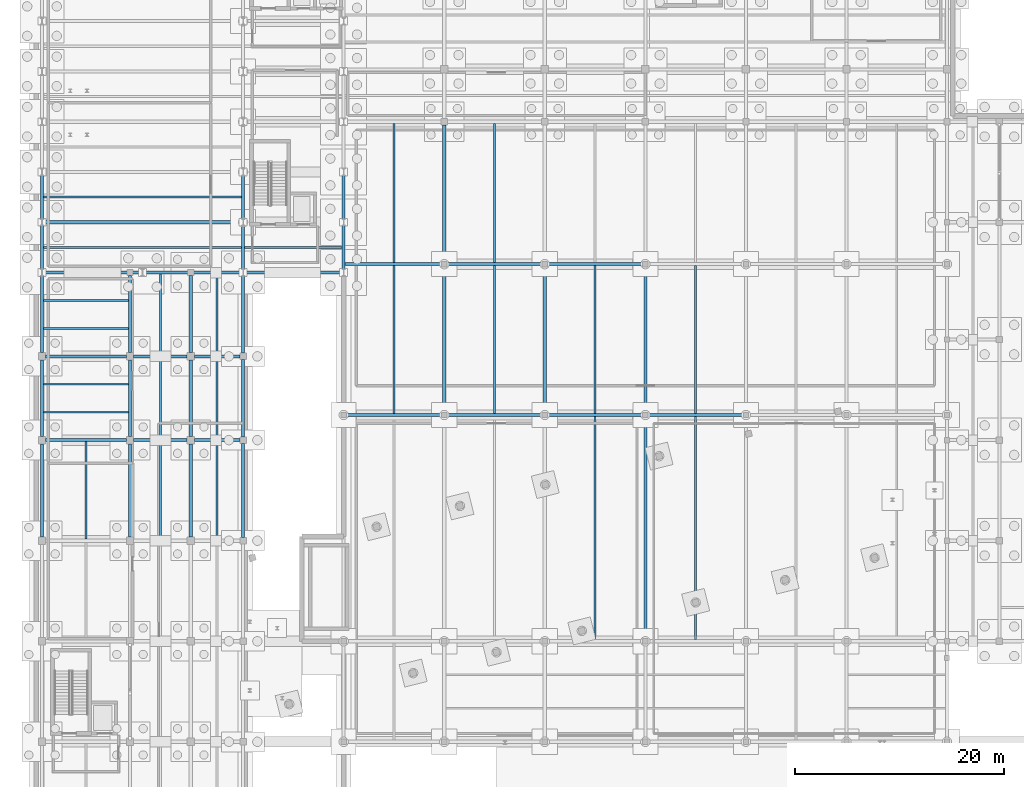
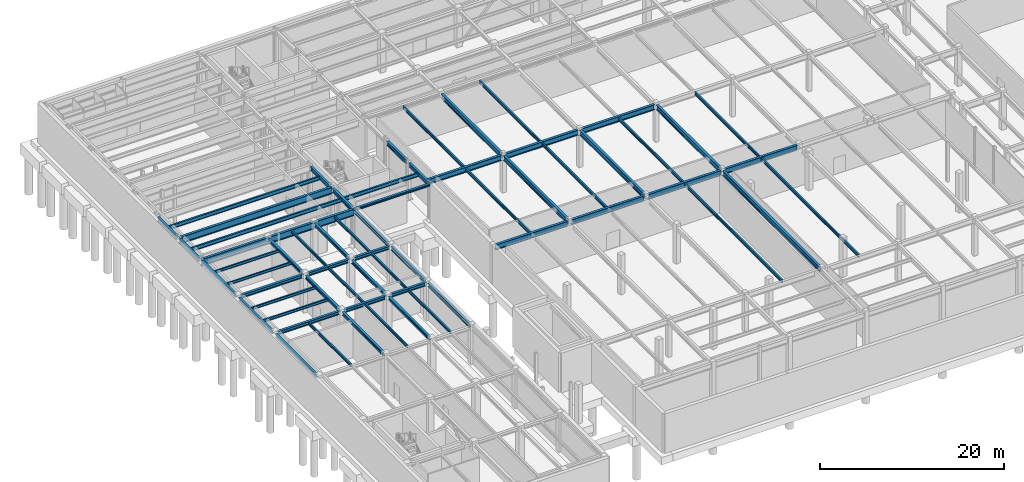
# One storey, part 16 of 33: 61 beams.
"""IFC4 building model written with IfcOpenShell, lengths in metres."""

import ifcopenshell
import ifcopenshell.guid

model = None  # the IFC model being written
_history = None  # IfcOwnerHistory: only IFC2X3 demands one
_inside = {}  # id of a spatial element -> (the spatial element, [elements in it])
_under = {}  # id of a project, library or spatial element -> (it, [spatial elements below it])
_declared = {}  # id of a project -> (the project, [libraries it declares])
_typed = {}  # id of a type object -> (the type object, [elements of that type])
_made_of = {}  # id of a material, layer set ... -> (it, [elements and type objects made of it])


def new_model(schema):
    """Start an empty IFC model of exactly this schema.

    Asked for "IFC4X3", IfcOpenShell would pick the latest addendum, in which some entities
    have other attributes; the version numbers below select the first issue.
    IFC2X3 requires an IfcOwnerHistory on every rooted entity: one is made here for all.
    """
    global model, _history
    if schema == "IFC4X3":
        model = ifcopenshell.file(schema_version=(4, 3, 0, 0))
    else:
        model = ifcopenshell.file(schema=schema)
    _inside.clear()
    _under.clear()
    _declared.clear()
    _typed.clear()
    _made_of.clear()
    _history = None
    if model.schema == "IFC2X3":
        org = make("IfcOrganization", Name="unknown")
        user = make(
            "IfcPersonAndOrganization",
            ThePerson=make("IfcPerson", FamilyName="unknown"),
            TheOrganization=org,
        )
        app = make(
            "IfcApplication",
            ApplicationDeveloper=org,
            Version="unknown",
            ApplicationFullName="unknown",
            ApplicationIdentifier="unknown",
        )
        _history = make(
            "IfcOwnerHistory",
            OwningUser=user,
            OwningApplication=app,
            ChangeAction="ADDED",
            CreationDate=0,
        )
    return model


def make(cls, **values):
    """One entity of the class cls with the attributes given. An attribute that is None is left unset."""
    return model.create_entity(
        cls, **{name: value for name, value in values.items() if value is not None}
    )


def rooted(cls, **values):
    """An entity with a GlobalId (a new one), such as an element, a storey or a relation."""
    return make(cls, GlobalId=ifcopenshell.guid.new(), OwnerHistory=_history, **values)


def si_unit(unit_type, name, prefix=None):
    """IfcSIUnit, for example si_unit("LENGTHUNIT", "METRE", prefix="MILLI")."""
    return make("IfcSIUnit", UnitType=unit_type, Prefix=prefix, Name=name)


def assignment(units):
    """IfcUnitAssignment: the units of a project."""
    return None if units is None else make("IfcUnitAssignment", Units=units)


def point(xyz):
    """IfcCartesianPoint."""
    return None if xyz is None else make("IfcCartesianPoint", Coordinates=xyz)


def direction(xyz):
    """IfcDirection."""
    return None if xyz is None else make("IfcDirection", DirectionRatios=xyz)


def frame(location, z_axis=None, x_axis=None):
    """IfcAxis2Placement3D, a coordinate frame: its origin and axes. An axis left out is left unset."""
    return make(
        "IfcAxis2Placement3D",
        Location=point(location),
        Axis=direction(z_axis),
        RefDirection=direction(x_axis),
    )


def frame_2d(location, x_axis=None):
    """IfcAxis2Placement2D, a coordinate frame in the plane: its origin and x axis."""
    return make(
        "IfcAxis2Placement2D", Location=point(location), RefDirection=direction(x_axis)
    )


def origin():
    """The frame at (0, 0, 0) with its axes left unset."""
    return frame((0.0, 0.0, 0.0))


def origin_2d():
    """The frame at (0, 0) in the plane with its x axis left unset."""
    return frame_2d((0.0, 0.0))


def place(relative_to, where):
    """IfcLocalPlacement: puts the frame where relative to a parent placement (None: the world)."""
    return make(
        "IfcLocalPlacement", PlacementRelTo=relative_to, RelativePlacement=where
    )


def context(
    kind, dimensions, precision=None, world=None, true_north=None, identifier=None
):
    """IfcGeometricRepresentationContext, for example the 3D "Model" context."""
    return make(
        "IfcGeometricRepresentationContext",
        ContextIdentifier=identifier,
        ContextType=kind,
        CoordinateSpaceDimension=dimensions,
        Precision=precision,
        WorldCoordinateSystem=world,
        TrueNorth=true_north,
    )


def subcontext(parent, identifier, kind, view, scale=None):
    """IfcGeometricRepresentationSubContext, for example "Body" below "Model"."""
    return make(
        "IfcGeometricRepresentationSubContext",
        ContextIdentifier=identifier,
        ContextType=kind,
        ParentContext=parent,
        TargetScale=scale,
        TargetView=view,
    )


def project(units=None, contexts=None):
    """IfcProject with its units and contexts."""
    return rooted(
        "IfcProject",
        Name="project",
        RepresentationContexts=contexts,
        UnitsInContext=assignment(units),
    )


def spatial(cls, under=None, at=None, **own):
    """A site, building, storey or space (cls), placed at a placement, below another one or the project."""
    s = rooted(cls, ObjectPlacement=at, **own)
    if under is not None:
        _under.setdefault(under.id(), (under, []))[1].append(s)
    return s


def profile(cls, at=None, kind="AREA", **sizes):
    """A parametric profile (cls). Its sizes go by their IFC names, for example OverallWidth=200.0."""
    return make(cls, ProfileType=kind, Position=at, **sizes)


def i_section(**sizes):
    """IfcIShapeProfileDef."""
    return profile("IfcIShapeProfileDef", **sizes)


def extrude(swept, where, along, depth):
    """IfcExtrudedAreaSolid: the profile swept, set in the frame where, extruded along a direction by depth."""
    return make(
        "IfcExtrudedAreaSolid",
        SweptArea=swept,
        Position=where,
        ExtrudedDirection=direction(along),
        Depth=depth,
    )


def shape(context_of_items, identifier, shape_type, items):
    """IfcShapeRepresentation: the items that make up one representation, for example the "Body"."""
    return make(
        "IfcShapeRepresentation",
        ContextOfItems=context_of_items,
        RepresentationIdentifier=identifier,
        RepresentationType=shape_type,
        Items=items,
    )


def material(Name=None, Category=None):
    """IfcMaterial."""
    return make("IfcMaterial", Name=Name, Category=Category)


def material_profile(
    of_material, cross_section, Name=None, Category=None, Priority=None
):
    """IfcMaterialProfile: a cross section and its material."""
    return make(
        "IfcMaterialProfile",
        Name=Name,
        Material=of_material,
        Profile=cross_section,
        Priority=Priority,
        Category=Category,
    )


def profile_set(profiles, Name=None, composite=None):
    """IfcMaterialProfileSet."""
    return make(
        "IfcMaterialProfileSet",
        Name=Name,
        MaterialProfiles=profiles,
        CompositeProfile=composite,
    )


def made_of(thing, what):
    """Note that an element or type object is made of a material, layer set ...; save() writes the relation."""
    if what is not None:
        _made_of.setdefault(what.id(), (what, []))[1].append(thing)
    return thing


def type_object(cls, material=None, **own):
    """A type object (cls), such as IfcWallType, which elements share."""
    return made_of(rooted(cls, **own), material)


def element(
    cls,
    number,
    at=None,
    inside=None,
    cuts=None,
    type_object=None,
    material=None,
    context=None,
    identifier="Body",
    shape_type=None,
    held_by="IfcProductDefinitionShape",
    body=None,
    shapes=None,
    **own,
):
    """One element of the class cls, such as IfcWall. Its Tag is "e" and its number.

    at: its placement. inside: the storey or other place that contains it. cuts: it is an
    opening in that element (IfcRelVoidsElement). A single representation is given by context,
    identifier, shape_type and body (its items); several are given by shapes. held_by: the class
    of the entity that holds the representations. save() writes the other relations.
    """
    e = rooted(cls, Tag="e%d" % number, ObjectPlacement=at, **own)
    if body is not None:
        shapes = [shape(context, identifier, shape_type, body)]
    if shapes is not None:
        e.Representation = make(held_by, Representations=shapes)
    if inside is not None:
        _inside.setdefault(inside.id(), (inside, []))[1].append(e)
    if cuts is not None:
        rooted(
            "IfcRelVoidsElement", RelatingBuildingElement=cuts, RelatedOpeningElement=e
        )
    if type_object is not None:
        _typed.setdefault(type_object.id(), (type_object, []))[1].append(e)
    return made_of(e, material)


def aggregate(whole, parts):
    """IfcRelAggregates: a whole, such as a stair, and the parts it consists of."""
    return rooted("IfcRelAggregates", RelatingObject=whole, RelatedObjects=parts)


def save(model, path):
    """Write the relations noted so far, then the file.

    IfcRelAggregates (storeys below a building ...), IfcRelContainedInSpatialStructure (elements
    in a storey), IfcRelDefinesByType, IfcRelAssociatesMaterial and IfcRelDeclares: one each for
    every whole, place, type object, material and project.
    """
    for whole, parts in _under.values():
        aggregate(whole, parts)
    for where, things in _inside.values():
        rooted(
            "IfcRelContainedInSpatialStructure",
            RelatedElements=things,
            RelatingStructure=where,
        )
    for kind, things in _typed.values():
        rooted("IfcRelDefinesByType", RelatedObjects=things, RelatingType=kind)
    for what, things in _made_of.values():
        rooted("IfcRelAssociatesMaterial", RelatedObjects=things, RelatingMaterial=what)
    for by, libraries in _declared.values():
        rooted("IfcRelDeclares", RelatingContext=by, RelatedDefinitions=libraries)
    model.write(path)


model = new_model("IFC4")

# Units and contexts
model_context = context("Model", 3, precision=1e-05, world=origin(), true_north=direction((0.0, 1.0)))
body_context = subcontext(model_context, "Body", "Model", "MODEL_VIEW")
ifc_project = project(units=[si_unit("LENGTHUNIT", "METRE"), si_unit("AREAUNIT", "SQUARE_METRE"), si_unit("VOLUMEUNIT", "CUBIC_METRE"), si_unit("PLANEANGLEUNIT", "RADIAN"), si_unit("MASSUNIT", "GRAM", prefix="KILO")], contexts=[model_context])

# Site, building, storey
site_placement = place(None, origin())
site = spatial("IfcSite", under=ifc_project, at=site_placement, CompositionType="ELEMENT")
building_placement = place(site_placement, origin())
building = spatial("IfcBuilding", under=site, at=building_placement, Name="Nordkorset Police Headquarters", CompositionType="ELEMENT")
storey_placement = place(building_placement, frame((0.0, 0.0, -9.800048828125)))
storey = spatial("IfcBuildingStorey", under=building, at=storey_placement, Name="B02", CompositionType="ELEMENT", Elevation=-9.800048828125)

# Beams
ifc_material_1 = material(Name="Steel S355J2", Category="steel")
ifc_material_profile_1 = material_profile(ifc_material_1, i_section(OverallWidth=0.169921875, OverallDepth=0.360107421875, WebThickness=0.008056640625, FlangeThickness=0.0126953125, FilletRadius=0.01806640625, at=origin_2d()), Name="IPE 360")
ifc_profile_set_1 = profile_set([ifc_material_profile_1], Name="Steel S355J2")
beam_type_1 = type_object("IfcBeamType", Name="Beam_IPE_360", PredefinedType="BEAM", material=ifc_profile_set_1)
beam_1_placement = place(storey_placement, frame((4.199951171875, 57.75, 4.7900390625), z_axis=(0.0, 1.0, 0.0), x_axis=(-1.0, 0.0, 0.0)))
element("IfcBeam", 1, at=beam_1_placement, inside=storey, type_object=beam_type_1, Name="Composite Floor Beam V3 B02 0-3-1", PredefinedType="BEAM", context=body_context, shape_type="SweptSolid", body=[
    extrude(i_section(OverallWidth=0.169921875, OverallDepth=0.360107421875, WebThickness=0.008056640625, FlangeThickness=0.0126953125, FilletRadius=0.01806640625, at=origin_2d()), origin(), (0.0, 0.0, 1.0), 9.300048828125),
])
for number, where, z_axis, x_axis, name in (
    (2, (0.14990234375, 69.86669921875, 4.7900390625), (1.0, 0.0, 0.0), (0.0, 1.0, 0.0), "Composite Floor Beam V3 B02 0-4-1"),
    (3, (0.14990234375, 72.533447265625, 4.7900390625), (1.0, 0.0, 0.0), (0.0, 1.0, 0.0), "Composite Floor Beam V3 B02 0-4-2"),
    (4, (0.14990234375, 77.86669921875, 4.7900390625), (1.0, 0.0, 0.0), (0.0, 1.0, 0.0), "Composite Floor Beam V3 B02 0-5-1"),
    (5, (0.14990234375, 80.533447265625, 4.7900390625), (1.0, 0.0, 0.0), (0.0, 1.0, 0.0), "Composite Floor Beam V3 B02 0-5-2"),
):
    element("IfcBeam", number, at=place(storey_placement, frame(where, z_axis=z_axis, x_axis=x_axis)), inside=storey, type_object=beam_type_1, Name=name, PredefinedType="BEAM", context=body_context, shape_type="SweptSolid", body=[
        extrude(i_section(OverallWidth=0.169921875, OverallDepth=0.360107421875, WebThickness=0.008056640625, FlangeThickness=0.0126953125, FilletRadius=0.01806640625, at=origin_2d()), origin(), (0.0, 0.0, 1.0), 8.10009765625),
    ])
beam_2_placement = place(storey_placement, frame((11.300048828125, 57.75, 4.7900390625), z_axis=(0.0, 1.0, 0.0), x_axis=(-1.0, 0.0, 0.0)))
element("IfcBeam", 6, at=beam_2_placement, inside=storey, type_object=beam_type_1, Name="Composite Floor Beam V3 B02 1-3-1", PredefinedType="BEAM", context=body_context, shape_type="SweptSolid", body=[
    extrude(i_section(OverallWidth=0.169921875, OverallDepth=0.360107421875, WebThickness=0.008056640625, FlangeThickness=0.0126953125, FilletRadius=0.01806640625, at=origin_2d()), origin(), (0.0, 0.0, 1.0), 9.300048828125),
])
for number, where, z_axis, x_axis, name in (
    (7, (11.300048828125, 67.35009765625, 4.7900390625), (0.0, 1.0, 0.0), (-1.0, 0.0, 0.0), "Composite Floor Beam V3 B02 1-4-1"),
    (8, (11.300048828125, 75.35009765625, 4.7900390625), (0.0, 1.0, 0.0), (-1.0, 0.0, 0.0), "Composite Floor Beam V3 B02 1-5-1"),
):
    element("IfcBeam", number, at=place(storey_placement, frame(where, z_axis=z_axis, x_axis=x_axis)), inside=storey, type_object=beam_type_1, Name=name, PredefinedType="BEAM", context=body_context, shape_type="SweptSolid", body=[
        extrude(i_section(OverallWidth=0.169921875, OverallDepth=0.360107421875, WebThickness=0.008056640625, FlangeThickness=0.0126953125, FilletRadius=0.01806640625, at=origin_2d()), origin(), (0.0, 0.0, 1.0), 7.699951171875),
    ])
beam_3_placement = place(storey_placement, frame((16.699951171875, 57.75, 4.7900390625), z_axis=(0.0, 1.0, 0.0), x_axis=(-1.0, 0.0, 0.0)))
element("IfcBeam", 9, at=beam_3_placement, inside=storey, type_object=beam_type_1, Name="Composite Floor Beam V3 B02 2-3-1", PredefinedType="BEAM", context=body_context, shape_type="SweptSolid", body=[
    extrude(i_section(OverallWidth=0.169921875, OverallDepth=0.360107421875, WebThickness=0.008056640625, FlangeThickness=0.0126953125, FilletRadius=0.01806640625, at=origin_2d()), origin(), (0.0, 0.0, 1.0), 9.300048828125),
])
for number, where, z_axis, x_axis, name in (
    (10, (16.699951171875, 67.35009765625, 4.7900390625), (0.0, 1.0, 0.0), (-1.0, 0.0, 0.0), "Composite Floor Beam V3 B02 2-4-1"),
    (11, (16.699951171875, 75.35009765625, 4.7900390625), (0.0, 1.0, 0.0), (-1.0, 0.0, 0.0), "Composite Floor Beam V3 B02 2-5-1"),
):
    element("IfcBeam", number, at=place(storey_placement, frame(where, z_axis=z_axis, x_axis=x_axis)), inside=storey, type_object=beam_type_1, Name=name, PredefinedType="BEAM", context=body_context, shape_type="SweptSolid", body=[
        extrude(i_section(OverallWidth=0.169921875, OverallDepth=0.360107421875, WebThickness=0.008056640625, FlangeThickness=0.0126953125, FilletRadius=0.01806640625, at=origin_2d()), origin(), (0.0, 0.0, 1.0), 7.699951171875),
    ])
ifc_material_2 = material(Name="Steel S355J2", Category="steel")
ifc_material_profile_2 = material_profile(ifc_material_2, i_section(OverallWidth=0.179931640625, OverallDepth=0.39990234375, WebThickness=0.008544921875, FlangeThickness=0.013427734375, FilletRadius=0.02099609375, at=origin_2d()), Name="IPE 400")
ifc_profile_set_2 = profile_set([ifc_material_profile_2], Name="Steel S355J2")
beam_type_2 = type_object("IfcBeamType", Name="Beam_IPE_400", PredefinedType="BEAM", material=ifc_profile_set_2)
beam_4_placement = place(storey_placement, frame((33.60009765625, 69.75, 4.77001953125), z_axis=(0.0, 1.0, 0.0), x_axis=(-1.0, 0.0, 0.0)))
element("IfcBeam", 12, at=beam_4_placement, inside=storey, type_object=beam_type_2, Name="Composite Floor Beam SUB B02 0-2-1", PredefinedType="BEAM", context=body_context, shape_type="SweptSolid", body=[
    extrude(i_section(OverallWidth=0.179931640625, OverallDepth=0.39990234375, WebThickness=0.008544921875, FlangeThickness=0.013427734375, FilletRadius=0.02099609375, at=origin_2d()), origin(), (0.0, 0.0, 1.0), 14.10009765625),
])
beam_5_placement = place(storey_placement, frame((33.60009765625, 84.14990234375, 4.77001953125), z_axis=(0.0, 1.0, 0.0), x_axis=(-1.0, 0.0, 0.0)))
element("IfcBeam", 13, at=beam_5_placement, inside=storey, type_object=beam_type_2, Name="Composite Floor Beam SUB B02 0-3-1", PredefinedType="BEAM", context=body_context, shape_type="SweptSolid", body=[
    extrude(i_section(OverallWidth=0.179931640625, OverallDepth=0.39990234375, WebThickness=0.008544921875, FlangeThickness=0.013427734375, FilletRadius=0.02099609375, at=origin_2d()), origin(), (0.0, 0.0, 1.0), 13.300048828125),
])
beam_6_placement = place(storey_placement, frame((43.199951171875, 69.75, 4.77001953125), z_axis=(0.0, 1.0, 0.0), x_axis=(-1.0, 0.0, 0.0)))
element("IfcBeam", 14, at=beam_6_placement, inside=storey, type_object=beam_type_2, Name="Composite Floor Beam SUB B02 1-2-1", PredefinedType="BEAM", context=body_context, shape_type="SweptSolid", body=[
    extrude(i_section(OverallWidth=0.179931640625, OverallDepth=0.39990234375, WebThickness=0.008544921875, FlangeThickness=0.013427734375, FilletRadius=0.02099609375, at=origin_2d()), origin(), (0.0, 0.0, 1.0), 14.10009765625),
])
beam_7_placement = place(storey_placement, frame((43.199951171875, 84.14990234375, 4.77001953125), z_axis=(0.0, 1.0, 0.0), x_axis=(-1.0, 0.0, 0.0)))
element("IfcBeam", 15, at=beam_7_placement, inside=storey, type_object=beam_type_2, Name="Composite Floor Beam SUB B02 1-3-1", PredefinedType="BEAM", context=body_context, shape_type="SweptSolid", body=[
    extrude(i_section(OverallWidth=0.179931640625, OverallDepth=0.39990234375, WebThickness=0.008544921875, FlangeThickness=0.013427734375, FilletRadius=0.02099609375, at=origin_2d()), origin(), (0.0, 0.0, 1.0), 13.300048828125),
])
beam_8_placement = place(storey_placement, frame((52.800048828125, 48.14990234375, 4.77001953125), z_axis=(0.0, 1.0, 0.0), x_axis=(-1.0, 0.0, 0.0)))
element("IfcBeam", 16, at=beam_8_placement, inside=storey, type_object=beam_type_2, Name="Composite Floor Beam SUB B02 2-1-1", PredefinedType="BEAM", context=body_context, shape_type="SweptSolid", body=[
    extrude(i_section(OverallWidth=0.179931640625, OverallDepth=0.39990234375, WebThickness=0.008544921875, FlangeThickness=0.013427734375, FilletRadius=0.02099609375, at=origin_2d()), origin(), (0.0, 0.0, 1.0), 21.300048828125),
])
beam_9_placement = place(storey_placement, frame((52.800048828125, 69.75, 4.77001953125), z_axis=(0.0, 1.0, 0.0), x_axis=(-1.0, 0.0, 0.0)))
element("IfcBeam", 17, at=beam_9_placement, inside=storey, type_object=beam_type_2, Name="Composite Floor Beam SUB B02 2-2-1", PredefinedType="BEAM", context=body_context, shape_type="SweptSolid", body=[
    extrude(i_section(OverallWidth=0.179931640625, OverallDepth=0.39990234375, WebThickness=0.008544921875, FlangeThickness=0.013427734375, FilletRadius=0.02099609375, at=origin_2d()), origin(), (0.0, 0.0, 1.0), 14.10009765625),
])
beam_10_placement = place(storey_placement, frame((62.39990234375, 48.14990234375, 4.77001953125), z_axis=(0.0, 1.0, 0.0), x_axis=(-1.0, 0.0, 0.0)))
element("IfcBeam", 18, at=beam_10_placement, inside=storey, type_object=beam_type_2, Name="Composite Floor Beam SUB B02 3-1-1", PredefinedType="BEAM", context=body_context, shape_type="SweptSolid", body=[
    extrude(i_section(OverallWidth=0.179931640625, OverallDepth=0.39990234375, WebThickness=0.008544921875, FlangeThickness=0.013427734375, FilletRadius=0.02099609375, at=origin_2d()), origin(), (0.0, 0.0, 1.0), 21.300048828125),
])
beam_11_placement = place(storey_placement, frame((62.39990234375, 69.75, 4.77001953125), z_axis=(0.0, 1.0, 0.0), x_axis=(-1.0, 0.0, 0.0)))
element("IfcBeam", 19, at=beam_11_placement, inside=storey, type_object=beam_type_2, Name="Composite Floor Beam SUB B02 3-2-1", PredefinedType="BEAM", context=body_context, shape_type="SweptSolid", body=[
    extrude(i_section(OverallWidth=0.179931640625, OverallDepth=0.39990234375, WebThickness=0.008544921875, FlangeThickness=0.013427734375, FilletRadius=0.02099609375, at=origin_2d()), origin(), (0.0, 0.0, 1.0), 14.10009765625),
])
ifc_material_3 = material(Name="Steel S355J2", Category="steel")
ifc_material_profile_3 = material_profile(ifc_material_3, i_section(OverallWidth=0.199951171875, OverallDepth=0.5, WebThickness=0.01025390625, FlangeThickness=0.01611328125, FilletRadius=0.02099609375, at=origin_2d()), Name="IPE 500")
ifc_profile_set_3 = profile_set([ifc_material_profile_3], Name="Steel S355J2")
beam_type_3 = type_object("IfcBeamType", Name="Beam_IPE_500", PredefinedType="BEAM", material=ifc_profile_set_3)
for number, where, z_axis, x_axis, name in (
    (20, (0.14990234375, 85.60009765625, 4.719970703125), (1.0, 0.0, 0.0), (0.0, 1.0, 0.0), "Composite Floor Beam V1 B02 0-0-1"),
    (21, (0.14990234375, 90.39990234375, 4.719970703125), (1.0, 0.0, 0.0), (0.0, 1.0, 0.0), "Composite Floor Beam V1 B02 0-1-1"),
):
    element("IfcBeam", number, at=place(storey_placement, frame(where, z_axis=z_axis, x_axis=x_axis)), inside=storey, type_object=beam_type_3, Name=name, PredefinedType="BEAM", context=body_context, shape_type="SweptSolid", body=[
        extrude(i_section(OverallWidth=0.199951171875, OverallDepth=0.5, WebThickness=0.01025390625, FlangeThickness=0.01611328125, FilletRadius=0.02099609375, at=origin_2d()), origin(), (0.0, 0.0, 1.0), 18.900146484375),
    ])
beam_12_placement = place(storey_placement, frame((19.35009765625, 85.60009765625, 4.719970703125), z_axis=(1.0, 0.0, 0.0), x_axis=(0.0, 1.0, 0.0)))
element("IfcBeam", 22, at=beam_12_placement, inside=storey, type_object=beam_type_3, Name="Composite Floor Beam V1 B02 1-0-1", PredefinedType="BEAM", context=body_context, shape_type="SweptSolid", body=[
    extrude(i_section(OverallWidth=0.199951171875, OverallDepth=0.5, WebThickness=0.01025390625, FlangeThickness=0.01611328125, FilletRadius=0.02099609375, at=origin_2d()), origin(), (0.0, 0.0, 1.0), 9.2998046875),
])
ifc_material_4 = material(Name="Steel S355J2", Category="steel")
ifc_material_profile_4 = material_profile(ifc_material_4, i_section(OverallWidth=0.300048828125, OverallDepth=0.43994140625, WebThickness=0.011474609375, FlangeThickness=0.02099609375, FilletRadius=0.027099609375, at=origin_2d()), Name="HEA 450")
ifc_profile_set_4 = profile_set([ifc_material_profile_4], Name="Steel S355J2")
beam_type_4 = type_object("IfcBeamType", Name="Girder_HEA_450", PredefinedType="USERDEFINED", material=ifc_profile_set_4)
beam_13_placement = place(storey_placement, frame((0.35009765625, 67.199951171875, 4.75), z_axis=(1.0, 0.0, 0.0), x_axis=(0.0, 1.0, 0.0)))
element("IfcBeam", 23, at=beam_13_placement, inside=storey, type_object=beam_type_4, Name="Girder V3 B02 GX-4-0", ObjectType="GIRDER", PredefinedType="USERDEFINED", context=body_context, shape_type="SweptSolid", body=[
    extrude(i_section(OverallWidth=0.300048828125, OverallDepth=0.43994140625, WebThickness=0.011474609375, FlangeThickness=0.02099609375, FilletRadius=0.027099609375, at=origin_2d()), origin(), (0.0, 0.0, 1.0), 7.699951171875),
])
beam_14_placement = place(storey_placement, frame((8.75, 67.199951171875, 4.75), z_axis=(1.0, 0.0, 0.0), x_axis=(0.0, 1.0, 0.0)))
element("IfcBeam", 24, at=beam_14_placement, inside=storey, type_object=beam_type_4, Name="Girder V3 B02 GX-4-1", ObjectType="GIRDER", PredefinedType="USERDEFINED", context=body_context, shape_type="SweptSolid", body=[
    extrude(i_section(OverallWidth=0.300048828125, OverallDepth=0.43994140625, WebThickness=0.011474609375, FlangeThickness=0.02099609375, FilletRadius=0.027099609375, at=origin_2d()), origin(), (0.0, 0.0, 1.0), 5.10009765625),
])
beam_15_placement = place(storey_placement, frame((14.550048828125, 67.199951171875, 4.75), z_axis=(1.0, 0.0, 0.0), x_axis=(0.0, 1.0, 0.0)))
element("IfcBeam", 25, at=beam_15_placement, inside=storey, type_object=beam_type_4, Name="Girder V3 B02 GX-4-2", ObjectType="GIRDER", PredefinedType="USERDEFINED", context=body_context, shape_type="SweptSolid", body=[
    extrude(i_section(OverallWidth=0.300048828125, OverallDepth=0.43994140625, WebThickness=0.011474609375, FlangeThickness=0.02099609375, FilletRadius=0.027099609375, at=origin_2d()), origin(), (0.0, 0.0, 1.0), 4.349853515625),
])
beam_16_placement = place(storey_placement, frame((0.35009765625, 75.199951171875, 4.75), z_axis=(1.0, 0.0, 0.0), x_axis=(0.0, 1.0, 0.0)))
element("IfcBeam", 26, at=beam_16_placement, inside=storey, type_object=beam_type_4, Name="Girder V3 B02 GX-5-0", ObjectType="GIRDER", PredefinedType="USERDEFINED", context=body_context, shape_type="SweptSolid", body=[
    extrude(i_section(OverallWidth=0.300048828125, OverallDepth=0.43994140625, WebThickness=0.011474609375, FlangeThickness=0.02099609375, FilletRadius=0.027099609375, at=origin_2d()), origin(), (0.0, 0.0, 1.0), 7.699951171875),
])
beam_17_placement = place(storey_placement, frame((8.75, 75.199951171875, 4.75), z_axis=(1.0, 0.0, 0.0), x_axis=(0.0, 1.0, 0.0)))
element("IfcBeam", 27, at=beam_17_placement, inside=storey, type_object=beam_type_4, Name="Girder V3 B02 GX-5-1", ObjectType="GIRDER", PredefinedType="USERDEFINED", context=body_context, shape_type="SweptSolid", body=[
    extrude(i_section(OverallWidth=0.300048828125, OverallDepth=0.43994140625, WebThickness=0.011474609375, FlangeThickness=0.02099609375, FilletRadius=0.027099609375, at=origin_2d()), origin(), (0.0, 0.0, 1.0), 5.10009765625),
])
beam_18_placement = place(storey_placement, frame((14.550048828125, 75.199951171875, 4.75), z_axis=(1.0, 0.0, 0.0), x_axis=(0.0, 1.0, 0.0)))
element("IfcBeam", 28, at=beam_18_placement, inside=storey, type_object=beam_type_4, Name="Girder V3 B02 GX-5-2", ObjectType="GIRDER", PredefinedType="USERDEFINED", context=body_context, shape_type="SweptSolid", body=[
    extrude(i_section(OverallWidth=0.300048828125, OverallDepth=0.43994140625, WebThickness=0.011474609375, FlangeThickness=0.02099609375, FilletRadius=0.027099609375, at=origin_2d()), origin(), (0.0, 0.0, 1.0), 4.349853515625),
])
beam_19_placement = place(storey_placement, frame((0.0, 57.949951171875, 4.75), z_axis=(0.0, 1.0, 0.0), x_axis=(-1.0, 0.0, 0.0)))
element("IfcBeam", 29, at=beam_19_placement, inside=storey, type_object=beam_type_4, Name="Girder V3 B02 GY-0-3", ObjectType="GIRDER", PredefinedType="USERDEFINED", context=body_context, shape_type="SweptSolid", body=[
    extrude(i_section(OverallWidth=0.300048828125, OverallDepth=0.43994140625, WebThickness=0.011474609375, FlangeThickness=0.02099609375, FilletRadius=0.027099609375, at=origin_2d()), origin(), (0.0, 0.0, 1.0), 8.900146484375),
])
beam_20_placement = place(storey_placement, frame((0.0, 67.550048828125, 4.75), z_axis=(0.0, 1.0, 0.0), x_axis=(-1.0, 0.0, 0.0)))
element("IfcBeam", 30, at=beam_20_placement, inside=storey, type_object=beam_type_4, Name="Girder V3 B02 GY-0-4", ObjectType="GIRDER", PredefinedType="USERDEFINED", context=body_context, shape_type="SweptSolid", body=[
    extrude(i_section(OverallWidth=0.300048828125, OverallDepth=0.43994140625, WebThickness=0.011474609375, FlangeThickness=0.02099609375, FilletRadius=0.027099609375, at=origin_2d()), origin(), (0.0, 0.0, 1.0), 7.300048828125),
])
beam_21_placement = place(storey_placement, frame((0.0, 75.550048828125, 4.75), z_axis=(0.0, 1.0, 0.0), x_axis=(-1.0, 0.0, 0.0)))
element("IfcBeam", 31, at=beam_21_placement, inside=storey, type_object=beam_type_4, Name="Girder V3 B02 GY-0-5", ObjectType="GIRDER", PredefinedType="USERDEFINED", context=body_context, shape_type="SweptSolid", body=[
    extrude(i_section(OverallWidth=0.300048828125, OverallDepth=0.43994140625, WebThickness=0.011474609375, FlangeThickness=0.02099609375, FilletRadius=0.027099609375, at=origin_2d()), origin(), (0.0, 0.0, 1.0), 7.324951171875),
])
beam_22_placement = place(storey_placement, frame((8.39990234375, 57.949951171875, 4.75), z_axis=(0.0, 1.0, 0.0), x_axis=(-1.0, 0.0, 0.0)))
element("IfcBeam", 32, at=beam_22_placement, inside=storey, type_object=beam_type_4, Name="Girder V3 B02 GY-1-3", ObjectType="GIRDER", PredefinedType="USERDEFINED", context=body_context, shape_type="SweptSolid", body=[
    extrude(i_section(OverallWidth=0.300048828125, OverallDepth=0.43994140625, WebThickness=0.011474609375, FlangeThickness=0.02099609375, FilletRadius=0.027099609375, at=origin_2d()), origin(), (0.0, 0.0, 1.0), 8.900146484375),
])
beam_23_placement = place(storey_placement, frame((8.39990234375, 67.550048828125, 4.75), z_axis=(0.0, 1.0, 0.0), x_axis=(-1.0, 0.0, 0.0)))
element("IfcBeam", 33, at=beam_23_placement, inside=storey, type_object=beam_type_4, Name="Girder V3 B02 GY-1-4", ObjectType="GIRDER", PredefinedType="USERDEFINED", context=body_context, shape_type="SweptSolid", body=[
    extrude(i_section(OverallWidth=0.300048828125, OverallDepth=0.43994140625, WebThickness=0.011474609375, FlangeThickness=0.02099609375, FilletRadius=0.027099609375, at=origin_2d()), origin(), (0.0, 0.0, 1.0), 7.300048828125),
])
beam_24_placement = place(storey_placement, frame((8.39990234375, 75.550048828125, 4.75), z_axis=(0.0, 1.0, 0.0), x_axis=(-1.0, 0.0, 0.0)))
element("IfcBeam", 34, at=beam_24_placement, inside=storey, type_object=beam_type_4, Name="Girder V3 B02 GY-1-5", ObjectType="GIRDER", PredefinedType="USERDEFINED", context=body_context, shape_type="SweptSolid", body=[
    extrude(i_section(OverallWidth=0.300048828125, OverallDepth=0.43994140625, WebThickness=0.011474609375, FlangeThickness=0.02099609375, FilletRadius=0.027099609375, at=origin_2d()), origin(), (0.0, 0.0, 1.0), 7.349853515625),
])
beam_25_placement = place(storey_placement, frame((14.199951171875, 57.949951171875, 4.75), z_axis=(0.0, 1.0, 0.0), x_axis=(-1.0, 0.0, 0.0)))
element("IfcBeam", 35, at=beam_25_placement, inside=storey, type_object=beam_type_4, Name="Girder V3 B02 GY-2-3", ObjectType="GIRDER", PredefinedType="USERDEFINED", context=body_context, shape_type="SweptSolid", body=[
    extrude(i_section(OverallWidth=0.300048828125, OverallDepth=0.43994140625, WebThickness=0.011474609375, FlangeThickness=0.02099609375, FilletRadius=0.027099609375, at=origin_2d()), origin(), (0.0, 0.0, 1.0), 8.900146484375),
])
beam_26_placement = place(storey_placement, frame((14.199951171875, 67.550048828125, 4.75), z_axis=(0.0, 1.0, 0.0), x_axis=(-1.0, 0.0, 0.0)))
element("IfcBeam", 36, at=beam_26_placement, inside=storey, type_object=beam_type_4, Name="Girder V3 B02 GY-2-4", ObjectType="GIRDER", PredefinedType="USERDEFINED", context=body_context, shape_type="SweptSolid", body=[
    extrude(i_section(OverallWidth=0.300048828125, OverallDepth=0.43994140625, WebThickness=0.011474609375, FlangeThickness=0.02099609375, FilletRadius=0.027099609375, at=origin_2d()), origin(), (0.0, 0.0, 1.0), 7.300048828125),
])
beam_27_placement = place(storey_placement, frame((14.199951171875, 75.550048828125, 4.75), z_axis=(0.0, 1.0, 0.0), x_axis=(-1.0, 0.0, 0.0)))
element("IfcBeam", 37, at=beam_27_placement, inside=storey, type_object=beam_type_4, Name="Girder V3 B02 GY-2-5", ObjectType="GIRDER", PredefinedType="USERDEFINED", context=body_context, shape_type="SweptSolid", body=[
    extrude(i_section(OverallWidth=0.300048828125, OverallDepth=0.43994140625, WebThickness=0.011474609375, FlangeThickness=0.02099609375, FilletRadius=0.027099609375, at=origin_2d()), origin(), (0.0, 0.0, 1.0), 7.349853515625),
])
beam_28_placement = place(storey_placement, frame((19.199951171875, 57.89990234375, 4.75), z_axis=(0.0, 1.0, 0.0), x_axis=(-1.0, 0.0, 0.0)))
element("IfcBeam", 38, at=beam_28_placement, inside=storey, type_object=beam_type_4, Name="Girder V3 B02 GY-3-3", ObjectType="GIRDER", PredefinedType="USERDEFINED", context=body_context, shape_type="SweptSolid", body=[
    extrude(i_section(OverallWidth=0.300048828125, OverallDepth=0.43994140625, WebThickness=0.011474609375, FlangeThickness=0.02099609375, FilletRadius=0.027099609375, at=origin_2d()), origin(), (0.0, 0.0, 1.0), 9.0),
])
beam_29_placement = place(storey_placement, frame((19.199951171875, 67.5, 4.75), z_axis=(0.0, 1.0, 0.0), x_axis=(-1.0, 0.0, 0.0)))
element("IfcBeam", 39, at=beam_29_placement, inside=storey, type_object=beam_type_4, Name="Girder V3 B02 GY-3-4", ObjectType="GIRDER", PredefinedType="USERDEFINED", context=body_context, shape_type="SweptSolid", body=[
    extrude(i_section(OverallWidth=0.300048828125, OverallDepth=0.43994140625, WebThickness=0.011474609375, FlangeThickness=0.02099609375, FilletRadius=0.027099609375, at=origin_2d()), origin(), (0.0, 0.0, 1.0), 7.39990234375),
])
beam_30_placement = place(storey_placement, frame((19.199951171875, 75.5, 4.75), z_axis=(0.0, 1.0, 0.0), x_axis=(-1.0, 0.0, 0.0)))
element("IfcBeam", 40, at=beam_30_placement, inside=storey, type_object=beam_type_4, Name="Girder V3 B02 GY-3-5", ObjectType="GIRDER", PredefinedType="USERDEFINED", context=body_context, shape_type="SweptSolid", body=[
    extrude(i_section(OverallWidth=0.300048828125, OverallDepth=0.43994140625, WebThickness=0.011474609375, FlangeThickness=0.02099609375, FilletRadius=0.027099609375, at=origin_2d()), origin(), (0.0, 0.0, 1.0), 7.375),
])
ifc_material_5 = material(Name="Steel S355J2", Category="steel")
ifc_material_profile_5 = material_profile(ifc_material_5, i_section(OverallWidth=0.300048828125, OverallDepth=0.5400390625, WebThickness=0.012451171875, FlangeThickness=0.02392578125, FilletRadius=0.027099609375, at=origin_2d()), Name="HEA 550")
ifc_profile_set_5 = profile_set([ifc_material_profile_5], Name="Steel S355J2")
beam_type_5 = type_object("IfcBeamType", Name="Girder_HEA_550", PredefinedType="USERDEFINED", material=ifc_profile_set_5)
for number, where, z_axis, x_axis, name in (
    (41, (0.0, 83.52490234375, 4.699951171875), (0.0, 1.0, 0.0), (-1.0, 0.0, 0.0), "Girder V1 B02 GY-0-0"),
    (42, (0.0, 88.324951171875, 4.699951171875), (0.0, 1.0, 0.0), (-1.0, 0.0, 0.0), "Girder V1 B02 GY-0-1"),
    (43, (19.199951171875, 83.52490234375, 4.699951171875), (0.0, 1.0, 0.0), (-1.0, 0.0, 0.0), "Girder V1 B02 GY-1-0"),
    (44, (19.199951171875, 88.324951171875, 4.699951171875), (0.0, 1.0, 0.0), (-1.0, 0.0, 0.0), "Girder V1 B02 GY-1-1"),
    (45, (28.800048828125, 83.52490234375, 4.699951171875), (0.0, 1.0, 0.0), (-1.0, 0.0, 0.0), "Girder V1 B02 GY-2-0"),
    (46, (28.800048828125, 88.324951171875, 4.699951171875), (0.0, 1.0, 0.0), (-1.0, 0.0, 0.0), "Girder V1 B02 GY-2-1"),
):
    element("IfcBeam", number, at=place(storey_placement, frame(where, z_axis=z_axis, x_axis=x_axis)), inside=storey, type_object=beam_type_5, Name=name, ObjectType="GIRDER", PredefinedType="USERDEFINED", context=body_context, shape_type="SweptSolid", body=[
        extrude(i_section(OverallWidth=0.300048828125, OverallDepth=0.5400390625, WebThickness=0.012451171875, FlangeThickness=0.02392578125, FilletRadius=0.027099609375, at=origin_2d()), origin(), (0.0, 0.0, 1.0), 4.150146484375),
    ])
ifc_material_6 = material(Name="Steel S355J2", Category="steel")
ifc_material_profile_6 = material_profile(ifc_material_6, i_section(OverallWidth=0.300048828125, OverallDepth=0.64990234375, WebThickness=0.01611328125, FlangeThickness=0.031005859375, FilletRadius=0.027099609375, at=origin_2d()), Name="HEB 650")
ifc_profile_set_6 = profile_set([ifc_material_profile_6], Name="Steel S355J2")
beam_type_6 = type_object("IfcBeamType", Name="Girder_HEB_650", PredefinedType="USERDEFINED", material=ifc_profile_set_6)
beam_31_placement = place(storey_placement, frame((38.39990234375, 69.85009765625, 4.64501953125), z_axis=(0.0, 1.0, 0.0), x_axis=(-1.0, 0.0, 0.0)))
element("IfcBeam", 47, at=beam_31_placement, inside=storey, type_object=beam_type_6, Name="Girder SUB B02 GY-1-2", ObjectType="GIRDER", PredefinedType="USERDEFINED", context=body_context, shape_type="SweptSolid", body=[
    extrude(i_section(OverallWidth=0.300048828125, OverallDepth=0.64990234375, WebThickness=0.01611328125, FlangeThickness=0.031005859375, FilletRadius=0.027099609375, at=origin_2d()), origin(), (0.0, 0.0, 1.0), 13.89990234375),
])
beam_32_placement = place(storey_placement, frame((38.39990234375, 84.25, 4.64501953125), z_axis=(0.0, 1.0, 0.0), x_axis=(-1.0, 0.0, 0.0)))
element("IfcBeam", 48, at=beam_32_placement, inside=storey, type_object=beam_type_6, Name="Girder SUB B02 GY-1-3", ObjectType="GIRDER", PredefinedType="USERDEFINED", context=body_context, shape_type="SweptSolid", body=[
    extrude(i_section(OverallWidth=0.300048828125, OverallDepth=0.64990234375, WebThickness=0.01611328125, FlangeThickness=0.031005859375, FilletRadius=0.027099609375, at=origin_2d()), origin(), (0.0, 0.0, 1.0), 13.050048828125),
])
beam_33_placement = place(storey_placement, frame((48.0, 69.85009765625, 4.64501953125), z_axis=(0.0, 1.0, 0.0), x_axis=(-1.0, 0.0, 0.0)))
element("IfcBeam", 49, at=beam_33_placement, inside=storey, type_object=beam_type_6, Name="Girder SUB B02 GY-2-2", ObjectType="GIRDER", PredefinedType="USERDEFINED", context=body_context, shape_type="SweptSolid", body=[
    extrude(i_section(OverallWidth=0.300048828125, OverallDepth=0.64990234375, WebThickness=0.01611328125, FlangeThickness=0.031005859375, FilletRadius=0.027099609375, at=origin_2d()), origin(), (0.0, 0.0, 1.0), 13.89990234375),
])
beam_34_placement = place(storey_placement, frame((57.60009765625, 48.25, 4.64501953125), z_axis=(0.0, 1.0, 0.0), x_axis=(-1.0, 0.0, 0.0)))
element("IfcBeam", 50, at=beam_34_placement, inside=storey, type_object=beam_type_6, Name="Girder SUB B02 GY-3-1", ObjectType="GIRDER", PredefinedType="USERDEFINED", context=body_context, shape_type="SweptSolid", body=[
    extrude(i_section(OverallWidth=0.300048828125, OverallDepth=0.64990234375, WebThickness=0.01611328125, FlangeThickness=0.031005859375, FilletRadius=0.027099609375, at=origin_2d()), origin(), (0.0, 0.0, 1.0), 21.10009765625),
])
beam_35_placement = place(storey_placement, frame((57.60009765625, 69.85009765625, 4.64501953125), z_axis=(0.0, 1.0, 0.0), x_axis=(-1.0, 0.0, 0.0)))
element("IfcBeam", 51, at=beam_35_placement, inside=storey, type_object=beam_type_6, Name="Girder SUB B02 GY-3-2", ObjectType="GIRDER", PredefinedType="USERDEFINED", context=body_context, shape_type="SweptSolid", body=[
    extrude(i_section(OverallWidth=0.300048828125, OverallDepth=0.64990234375, WebThickness=0.01611328125, FlangeThickness=0.031005859375, FilletRadius=0.027099609375, at=origin_2d()), origin(), (0.0, 0.0, 1.0), 13.89990234375),
])
ifc_material_7 = material(Name="Steel S355J2", Category="steel")
ifc_material_profile_7 = material_profile(ifc_material_7, i_section(OverallWidth=0.300048828125, OverallDepth=0.699951171875, WebThickness=0.01708984375, FlangeThickness=0.031982421875, FilletRadius=0.027099609375, at=origin_2d()), Name="HEB 700")
ifc_profile_set_7 = profile_set([ifc_material_profile_7], Name="Steel S355J2")
beam_type_7 = type_object("IfcBeamType", Name="Girder_HEB_700", PredefinedType="USERDEFINED", material=ifc_profile_set_7)
beam_36_placement = place(storey_placement, frame((29.050048828125, 69.60009765625, 4.6201171875), z_axis=(1.0, 0.0, 0.0), x_axis=(0.0, 1.0, 0.0)))
element("IfcBeam", 52, at=beam_36_placement, inside=storey, type_object=beam_type_7, Name="Girder SUB B02 GX-2-0", ObjectType="GIRDER", PredefinedType="USERDEFINED", context=body_context, shape_type="SweptSolid", body=[
    extrude(i_section(OverallWidth=0.300048828125, OverallDepth=0.699951171875, WebThickness=0.01708984375, FlangeThickness=0.031982421875, FilletRadius=0.027099609375, at=origin_2d()), origin(), (0.0, 0.0, 1.0), 9.099853515625),
])
for number, where, z_axis, x_axis, name in (
    (53, (38.64990234375, 69.60009765625, 4.6201171875), (1.0, 0.0, 0.0), (0.0, 1.0, 0.0), "Girder SUB B02 GX-2-1"),
    (54, (48.25, 69.60009765625, 4.6201171875), (1.0, 0.0, 0.0), (0.0, 1.0, 0.0), "Girder SUB B02 GX-2-2"),
):
    element("IfcBeam", number, at=place(storey_placement, frame(where, z_axis=z_axis, x_axis=x_axis)), inside=storey, type_object=beam_type_7, Name=name, ObjectType="GIRDER", PredefinedType="USERDEFINED", context=body_context, shape_type="SweptSolid", body=[
        extrude(i_section(OverallWidth=0.300048828125, OverallDepth=0.699951171875, WebThickness=0.01708984375, FlangeThickness=0.031982421875, FilletRadius=0.027099609375, at=origin_2d()), origin(), (0.0, 0.0, 1.0), 9.10009765625),
    ])
beam_37_placement = place(storey_placement, frame((57.85009765625, 69.60009765625, 4.6201171875), z_axis=(1.0, 0.0, 0.0), x_axis=(0.0, 1.0, 0.0)))
element("IfcBeam", 55, at=beam_37_placement, inside=storey, type_object=beam_type_7, Name="Girder SUB B02 GX-2-3", ObjectType="GIRDER", PredefinedType="USERDEFINED", context=body_context, shape_type="SweptSolid", body=[
    extrude(i_section(OverallWidth=0.300048828125, OverallDepth=0.699951171875, WebThickness=0.01708984375, FlangeThickness=0.031982421875, FilletRadius=0.027099609375, at=origin_2d()), origin(), (0.0, 0.0, 1.0), 9.099853515625),
])
beam_38_placement = place(storey_placement, frame((28.949951171875, 84.0, 4.6201171875), z_axis=(1.0, 0.0, 0.0), x_axis=(0.0, 1.0, 0.0)))
element("IfcBeam", 56, at=beam_38_placement, inside=storey, type_object=beam_type_7, Name="Girder SUB B02 GX-3-0", ObjectType="GIRDER", PredefinedType="USERDEFINED", context=body_context, shape_type="SweptSolid", body=[
    extrude(i_section(OverallWidth=0.300048828125, OverallDepth=0.699951171875, WebThickness=0.01708984375, FlangeThickness=0.031982421875, FilletRadius=0.027099609375, at=origin_2d()), origin(), (0.0, 0.0, 1.0), 9.199951171875),
])
for number, where, z_axis, x_axis, name in (
    (57, (38.64990234375, 84.0, 4.6201171875), (1.0, 0.0, 0.0), (0.0, 1.0, 0.0), "Girder SUB B02 GX-3-1"),
    (58, (48.25, 84.0, 4.6201171875), (1.0, 0.0, 0.0), (0.0, 1.0, 0.0), "Girder SUB B02 GX-3-2"),
):
    element("IfcBeam", number, at=place(storey_placement, frame(where, z_axis=z_axis, x_axis=x_axis)), inside=storey, type_object=beam_type_7, Name=name, ObjectType="GIRDER", PredefinedType="USERDEFINED", context=body_context, shape_type="SweptSolid", body=[
        extrude(i_section(OverallWidth=0.300048828125, OverallDepth=0.699951171875, WebThickness=0.01708984375, FlangeThickness=0.031982421875, FilletRadius=0.027099609375, at=origin_2d()), origin(), (0.0, 0.0, 1.0), 9.10009765625),
    ])
ifc_material_8 = material(Name="Steel S355J2", Category="steel")
ifc_material_profile_8 = material_profile(ifc_material_8, i_section(OverallWidth=0.300048828125, OverallDepth=0.89990234375, WebThickness=0.0185546875, FlangeThickness=0.034912109375, FilletRadius=0.030029296875, at=origin_2d()), Name="HEB 900")
ifc_profile_set_8 = profile_set([ifc_material_profile_8], Name="Steel S355J2")
beam_type_8 = type_object("IfcBeamType", Name="Girder_HEB_900", PredefinedType="USERDEFINED", material=ifc_profile_set_8)
for number, where, z_axis, x_axis, name in (
    (59, (0.008056640625, 83.199951171875, 4.52001953125), (1.0, 0.0, 0.0), (0.0, 1.0, 0.0), "Girder V1 B02 GX-0-0"),
    (60, (0.008056640625, 88.0, 4.52001953125), (1.0, 0.0, 0.0), (0.0, 1.0, 0.0), "Girder V1 B02 GX-1-0"),
):
    element("IfcBeam", number, at=place(storey_placement, frame(where, z_axis=z_axis, x_axis=x_axis)), inside=storey, type_object=beam_type_8, Name=name, ObjectType="GIRDER", PredefinedType="USERDEFINED", context=body_context, shape_type="SweptSolid", body=[
        extrude(i_section(OverallWidth=0.300048828125, OverallDepth=0.89990234375, WebThickness=0.0185546875, FlangeThickness=0.034912109375, FilletRadius=0.030029296875, at=origin_2d()), origin(), (0.0, 0.0, 1.0), 19.183837890625),
    ])
ifc_material_9 = material(Name="Steel S355J2", Category="steel")
ifc_material_profile_9 = material_profile(ifc_material_9, i_section(OverallWidth=0.300048828125, OverallDepth=0.31005859375, WebThickness=0.009033203125, FlangeThickness=0.015380859375, FilletRadius=0.027099609375, at=origin_2d()), Name="HEA 320")
ifc_profile_set_9 = profile_set([ifc_material_profile_9], Name="Steel S355J2")
beam_type_9 = type_object("IfcBeamType", Name="Spandrel_HEA_320", PredefinedType="SPANDREL", material=ifc_profile_set_9)
beam_39_placement = place(storey_placement, frame((19.2080078125, 83.199951171875, 4.81494140625), z_axis=(1.0, 0.0, 0.0), x_axis=(0.0, 1.0, 0.0)))
element("IfcBeam", 61, at=beam_39_placement, inside=storey, type_object=beam_type_9, Name="Girder V1 B02 GX-0-1", PredefinedType="SPANDREL", context=body_context, shape_type="SweptSolid", body=[
    extrude(i_section(OverallWidth=0.300048828125, OverallDepth=0.31005859375, WebThickness=0.009033203125, FlangeThickness=0.015380859375, FilletRadius=0.027099609375, at=origin_2d()), origin(), (0.0, 0.0, 1.0), 9.583984375),
])

save(model, "model.ifc")
